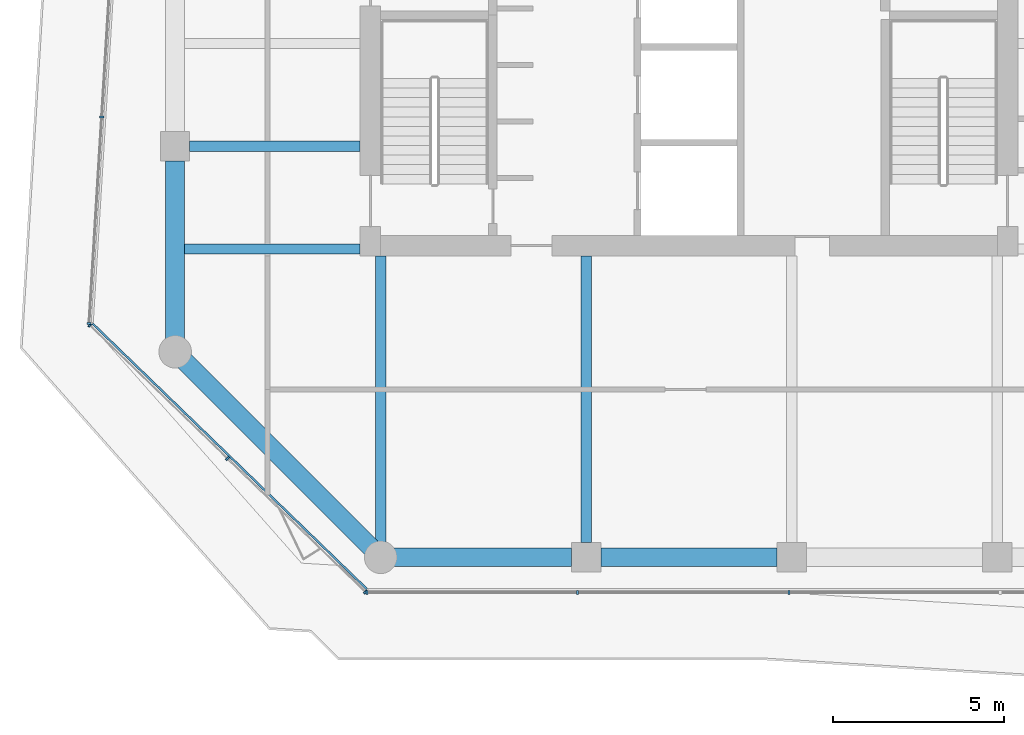
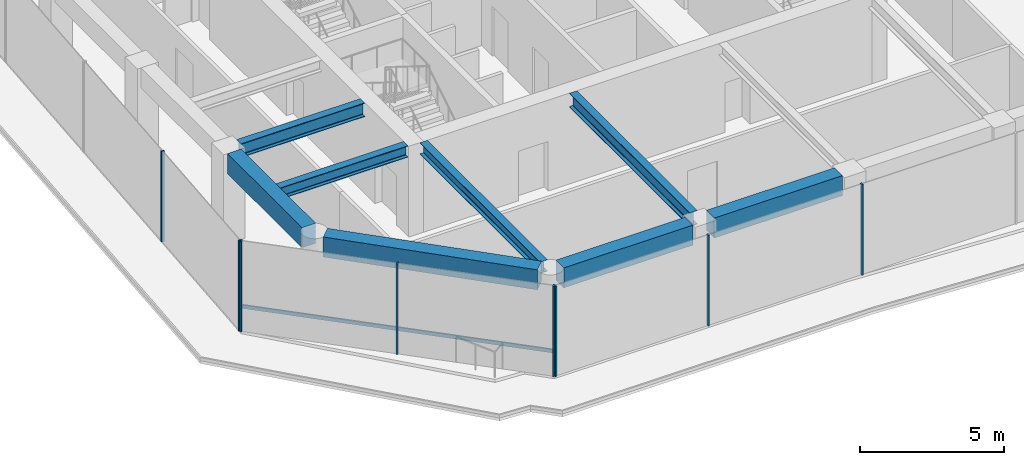
# One storey, part 2 of 22: 9 members, 8 beams, 3 elements without a shape of their own.
"""IFC4 building model written with IfcOpenShell, lengths in metres."""

from ifc_helpers import new_model, si_unit, direction, frame, origin, origin_2d, place, context, subcontext, project, spatial, rectangle, i_section, extrude, material, layer, layer_set, material_profile, profile_set, type_object, element, aggregate, save


model = new_model("IFC4")

# Units and contexts
model_context = context("Model", 3, precision=1e-05, world=origin(), true_north=direction((0.0, 1.0)))
body_context = subcontext(model_context, "Body", "Model", "MODEL_VIEW")
ifc_project = project(units=[si_unit("LENGTHUNIT", "METRE"), si_unit("AREAUNIT", "SQUARE_METRE"), si_unit("VOLUMEUNIT", "CUBIC_METRE"), si_unit("PLANEANGLEUNIT", "RADIAN"), si_unit("MASSUNIT", "GRAM", prefix="KILO")], contexts=[model_context])

# Site, building, storey
site_placement = place(None, origin())
site = spatial("IfcSite", under=ifc_project, at=site_placement, CompositionType="ELEMENT")
building_placement = place(site_placement, origin())
building = spatial("IfcBuilding", under=site, at=building_placement, Name="Welwitschia Terrace Campus", CompositionType="ELEMENT")
storey_placement = place(building_placement, frame((0.0, 0.0, 155.0)))
storey = spatial("IfcBuildingStorey", under=building, at=storey_placement, Name="L34", CompositionType="ELEMENT", Elevation=155.0)

# Beams
ifc_material_1 = material(Name="Steel S355", Category="steel")
ifc_material_profile_1 = material_profile(ifc_material_1, i_section(OverallWidth=0.300048828125, OverallDepth=0.489990234375, WebThickness=0.011962890625, FlangeThickness=0.02294921875, FilletRadius=0.027099609375, at=origin_2d()))
ifc_profile_set_1 = profile_set([ifc_material_profile_1], Name="Steel S355")
beam_type_1 = type_object("IfcBeamType", Name="Interior girder HE 500 A", PredefinedType="BEAM", material=ifc_profile_set_1)
beam_1_placement = place(storey_placement, frame((-0.010009765625, 5.0, 3.60498046875), z_axis=(1.0, 0.0, 0.0), x_axis=(0.0, 1.0, 0.0)))
element("IfcBeam", 1, at=beam_1_placement, inside=storey, type_object=beam_type_1, Name="Girder GB4", PredefinedType="BEAM", context=body_context, shape_type="SweptSolid", body=[
    extrude(i_section(OverallWidth=0.300048828125, OverallDepth=0.489990234375, WebThickness=0.011962890625, FlangeThickness=0.02294921875, FilletRadius=0.027099609375, at=origin_2d()), origin(), (0.0, 0.0, 1.0), 5.408935546875),
])
beam_2_placement = place(storey_placement, frame((6.0, -3.55859375, 3.60498046875), z_axis=(0.0, 1.0, 0.0), x_axis=(-1.0, 0.0, 0.0)))
element("IfcBeam", 2, at=beam_2_placement, inside=storey, type_object=beam_type_1, Name="Girder GB4", PredefinedType="BEAM", context=body_context, shape_type="SweptSolid", body=[
    extrude(i_section(OverallWidth=0.300048828125, OverallDepth=0.489990234375, WebThickness=0.011962890625, FlangeThickness=0.02294921875, FilletRadius=0.027099609375, at=origin_2d()), origin(), (0.0, 0.0, 1.0), 8.357666015625),
])

# Curtain wall, members
ifc_material_2 = material(Name="Bronze anodised aluminium", Category="aluminium")
ifc_layer = layer(ifc_material_2, 0.1201171875)
ifc_layer_set = layer_set([ifc_layer], Name="Bronze anodised aluminium")
curtain_wall_type = type_object("IfcCurtainWallType", Name="Curtain wall CW2 tower 6000", PredefinedType="NOTDEFINED", material=ifc_layer_set)
curtain_wall_1_placement = place(storey_placement, origin())
curtain_wall_1 = element("IfcCurtainWall", 3, at=curtain_wall_1_placement, inside=storey, type_object=curtain_wall_type, Name="CW L34.0.0", PredefinedType="NOTDEFINED")
ifc_material_3 = material(Name="Bronze anodised aluminium", Category="aluminium")
ifc_material_profile_2 = material_profile(ifc_material_3, rectangle(XDim=0.1201171875, YDim=0.06005859375, at=origin_2d()))
ifc_profile_set_2 = profile_set([ifc_material_profile_2], Name="Bronze anodised aluminium")
member_type_1 = type_object("IfcMemberType", Name="Mullion 60x120", PredefinedType="MULLION", material=ifc_profile_set_2)
member_1_placement = place(storey_placement, frame((-2.14208984375, 8.855224609375, 0.0), z_axis=(0.0, 0.0, 1.0), x_axis=(0.998134798422, -0.061048539535, 0.0)))
member_1 = element("IfcMember", 4, at=member_1_placement, type_object=member_type_1, Name="Mullion L34.0.0.3", PredefinedType="MULLION", context=body_context, shape_type="SweptSolid", body=[
    extrude(rectangle(XDim=0.1201171875, YDim=0.06005859375, at=origin_2d()), origin(), (0.0, 0.0, 1.0), 3.85009765625),
])
member_2_placement = place(storey_placement, frame((-2.510986328125, 2.824462890625, 0.0), z_axis=(0.0, 0.0, 1.0), x_axis=(0.998134798422, -0.061048539535, 0.0)))
member_2 = element("IfcMember", 5, at=member_2_placement, type_object=member_type_1, Name="Mullion L34.0.0.4", PredefinedType="MULLION", context=body_context, shape_type="SweptSolid", body=[
    extrude(rectangle(XDim=0.1201171875, YDim=0.06005859375, at=origin_2d()), origin(), (0.0, 0.0, 1.0), 3.85009765625),
])
aggregate(curtain_wall_1, [member_1, member_2])

curtain_wall_2_placement = place(storey_placement, origin())
curtain_wall_2 = element("IfcCurtainWall", 6, at=curtain_wall_2_placement, inside=storey, type_object=curtain_wall_type, Name="CW L34.1.0", PredefinedType="NOTDEFINED")
member_3_placement = place(storey_placement, frame((-2.4912109375, 2.773681640625, 0.0), z_axis=(0.0, 0.0, 1.0), x_axis=(0.695390449421, 0.718632119275, 0.0)))
member_3 = element("IfcMember", 7, at=member_3_placement, type_object=member_type_1, Name="Mullion L34.1.0.0", PredefinedType="MULLION", context=body_context, shape_type="SweptSolid", body=[
    extrude(rectangle(XDim=0.1201171875, YDim=0.06005859375, at=origin_2d()), origin(), (0.0, 0.0, 1.0), 3.85009765625),
])
member_4_placement = place(storey_placement, frame((1.5302734375, -1.11767578125, 0.0), z_axis=(0.0, 0.0, 1.0), x_axis=(0.695390449421, 0.718632119275, 0.0)))
member_4 = element("IfcMember", 8, at=member_4_placement, type_object=member_type_1, Name="Mullion L34.1.0.1", PredefinedType="MULLION", context=body_context, shape_type="SweptSolid", body=[
    extrude(rectangle(XDim=0.1201171875, YDim=0.06005859375, at=origin_2d()), origin(), (0.0, 0.0, 1.0), 3.85009765625),
])
member_5_placement = place(storey_placement, frame((5.5517578125, -5.009033203125, 0.0), z_axis=(0.0, 0.0, 1.0), x_axis=(0.695390449421, 0.718632119275, 0.0)))
member_5 = element("IfcMember", 9, at=member_5_placement, type_object=member_type_1, Name="Mullion L34.1.0.2", PredefinedType="MULLION", context=body_context, shape_type="SweptSolid", body=[
    extrude(rectangle(XDim=0.1201171875, YDim=0.06005859375, at=origin_2d()), origin(), (0.0, 0.0, 1.0), 3.85009765625),
])

curtain_wall_3_placement = place(storey_placement, origin())
curtain_wall_3 = element("IfcCurtainWall", 10, at=curtain_wall_3_placement, inside=storey, type_object=curtain_wall_type, Name="CW L34.2.0", PredefinedType="NOTDEFINED")
member_6_placement = place(storey_placement, frame((5.603271484375, -5.030029296875, 0.0), z_axis=(0.0, 0.0, 1.0), x_axis=(0.0, 1.0, 0.0)))
member_6 = element("IfcMember", 11, at=member_6_placement, type_object=member_type_1, Name="Mullion L34.2.0.0", PredefinedType="MULLION", context=body_context, shape_type="SweptSolid", body=[
    extrude(rectangle(XDim=0.1201171875, YDim=0.06005859375, at=origin_2d()), origin(), (0.0, 0.0, 1.0), 3.85009765625),
])
member_7_placement = place(storey_placement, frame((11.743896484375, -5.030029296875, 0.0), z_axis=(0.0, 0.0, 1.0), x_axis=(0.0, 1.0, 0.0)))
member_7 = element("IfcMember", 12, at=member_7_placement, type_object=member_type_1, Name="Mullion L34.2.0.1", PredefinedType="MULLION", context=body_context, shape_type="SweptSolid", body=[
    extrude(rectangle(XDim=0.1201171875, YDim=0.06005859375, at=origin_2d()), origin(), (0.0, 0.0, 1.0), 3.85009765625),
])
member_8_placement = place(storey_placement, frame((17.91455078125, -5.030029296875, 0.0), z_axis=(0.0, 0.0, 1.0), x_axis=(0.0, 1.0, 0.0)))
member_8 = element("IfcMember", 13, at=member_8_placement, type_object=member_type_1, Name="Mullion L34.2.0.2", PredefinedType="MULLION", context=body_context, shape_type="SweptSolid", body=[
    extrude(rectangle(XDim=0.1201171875, YDim=0.06005859375, at=origin_2d()), origin(), (0.0, 0.0, 1.0), 3.85009765625),
])
aggregate(curtain_wall_3, [member_6, member_7, member_8])

# Beams
ifc_material_4 = material(Name="Steel S355", Category="steel")
ifc_material_profile_3 = material_profile(ifc_material_4, i_section(OverallWidth=0.300048828125, OverallDepth=0.590087890625, WebThickness=0.012939453125, FlangeThickness=0.02490234375, FilletRadius=0.027099609375, at=origin_2d()))
ifc_profile_set_3 = profile_set([ifc_material_profile_3], Name="Steel S355")
beam_type_2 = type_object("IfcBeamType", Name="Primary beam HE 600 A", PredefinedType="BEAM", material=ifc_profile_set_3)
beam_3_placement = place(storey_placement, frame((12.0, -3.574462890625, 3.554931640625), z_axis=(0.0, 1.0, 0.0), x_axis=(-1.0, 0.0, 0.0)))
element("IfcBeam", 14, at=beam_3_placement, inside=storey, type_object=beam_type_2, Name="Primary beam PB4", PredefinedType="BEAM", context=body_context, shape_type="SweptSolid", body=[
    extrude(i_section(OverallWidth=0.300048828125, OverallDepth=0.590087890625, WebThickness=0.012939453125, FlangeThickness=0.02490234375, FilletRadius=0.027099609375, at=origin_2d()), origin(), (0.0, 0.0, 1.0), 8.37451171875),
])
beam_4_placement = place(storey_placement, frame((0.425537109375, 8.0, 3.554931640625), z_axis=(1.0, 0.0, 0.0), x_axis=(0.0, 1.0, 0.0)))
element("IfcBeam", 15, at=beam_4_placement, inside=storey, type_object=beam_type_2, Name="Primary beam PB4", PredefinedType="BEAM", context=body_context, shape_type="SweptSolid", body=[
    extrude(i_section(OverallWidth=0.300048828125, OverallDepth=0.590087890625, WebThickness=0.012939453125, FlangeThickness=0.02490234375, FilletRadius=0.027099609375, at=origin_2d()), origin(), (0.0, 0.0, 1.0), 4.974365234375),
])
ifc_material_5 = material(Name="Concrete C50/60", Category="concrete")
ifc_material_profile_4 = material_profile(ifc_material_5, rectangle(XDim=0.550048828125, YDim=0.85009765625, at=origin_2d()))
ifc_profile_set_4 = profile_set([ifc_material_profile_4], Name="Concrete C50/60")
beam_type_3 = type_object("IfcBeamType", Name="Ring spandrel 550x850", PredefinedType="SPANDREL", material=ifc_profile_set_4)
beam_5_placement = place(storey_placement, frame((0.2744140625, 1.7255859375, 3.425048828125), z_axis=(0.707106781187, -0.707106781187, 0.0), x_axis=(0.707106781187, 0.707106781187, 0.0)))
element("IfcBeam", 16, at=beam_5_placement, inside=storey, type_object=beam_type_3, Name="Spandrel SP3", PredefinedType="SPANDREL", context=body_context, shape_type="SweptSolid", body=[
    extrude(rectangle(XDim=0.550048828125, YDim=0.85009765625, at=origin_2d()), origin(), (0.0, 0.0, 1.0), 7.709228515625),
])
beam_6_placement = place(storey_placement, frame((6.387939453125, -4.0, 3.425048828125), z_axis=(1.0, 0.0, 0.0), x_axis=(0.0, 1.0, 0.0)))
element("IfcBeam", 17, at=beam_6_placement, inside=storey, type_object=beam_type_3, Name="Spandrel SP3", PredefinedType="SPANDREL", context=body_context, shape_type="SweptSolid", body=[
    extrude(rectangle(XDim=0.550048828125, YDim=0.85009765625, at=origin_2d()), origin(), (0.0, 0.0, 1.0), 5.1865234375),
])
beam_7_placement = place(storey_placement, frame((12.425537109375, -4.0, 3.425048828125), z_axis=(1.0, 0.0, 0.0), x_axis=(0.0, 1.0, 0.0)))
element("IfcBeam", 18, at=beam_7_placement, inside=storey, type_object=beam_type_3, Name="Spandrel SP3", PredefinedType="SPANDREL", context=body_context, shape_type="SweptSolid", body=[
    extrude(rectangle(XDim=0.550048828125, YDim=0.85009765625, at=origin_2d()), origin(), (0.0, 0.0, 1.0), 5.14892578125),
])
beam_8_placement = place(storey_placement, frame((0.0, 7.574462890625, 3.425048828125), z_axis=(0.0, -1.0, 0.0), x_axis=(1.0, 0.0, 0.0)))
element("IfcBeam", 19, at=beam_8_placement, inside=storey, type_object=beam_type_3, Name="Spandrel SP3", PredefinedType="SPANDREL", context=body_context, shape_type="SweptSolid", body=[
    extrude(rectangle(XDim=0.550048828125, YDim=0.85009765625, at=origin_2d()), origin(), (0.0, 0.0, 1.0), 5.1865234375),
])

# Member
ifc_material_6 = material(Name="Bronze anodised aluminium", Category="aluminium")
ifc_material_profile_5 = material_profile(ifc_material_6, rectangle(XDim=0.06005859375, YDim=0.14990234375, at=origin_2d()))
ifc_profile_set_5 = profile_set([ifc_material_profile_5], Name="Bronze anodised aluminium")
member_type_2 = type_object("IfcMemberType", Name="Transom 60x150", PredefinedType="USERDEFINED", material=ifc_profile_set_5)
member_9_placement = place(storey_placement, frame((-2.406982421875, 2.817626953125, 1.0), z_axis=(0.71862406096, -0.695398776968, 0.0), x_axis=(0.695398776968, 0.71862406096, 0.0)))
member_9 = element("IfcMember", 20, at=member_9_placement, type_object=member_type_2, Name="Transom L34.1.0", ObjectType="TRANSOM", PredefinedType="USERDEFINED", context=body_context, shape_type="SweptSolid", body=[
    extrude(rectangle(XDim=0.06005859375, YDim=0.14990234375, at=origin_2d()), origin(), (0.0, 0.0, 1.0), 11.132080078125),
])

aggregate(curtain_wall_2, [member_3, member_4, member_5, member_9])

save(model, "model.ifc")
